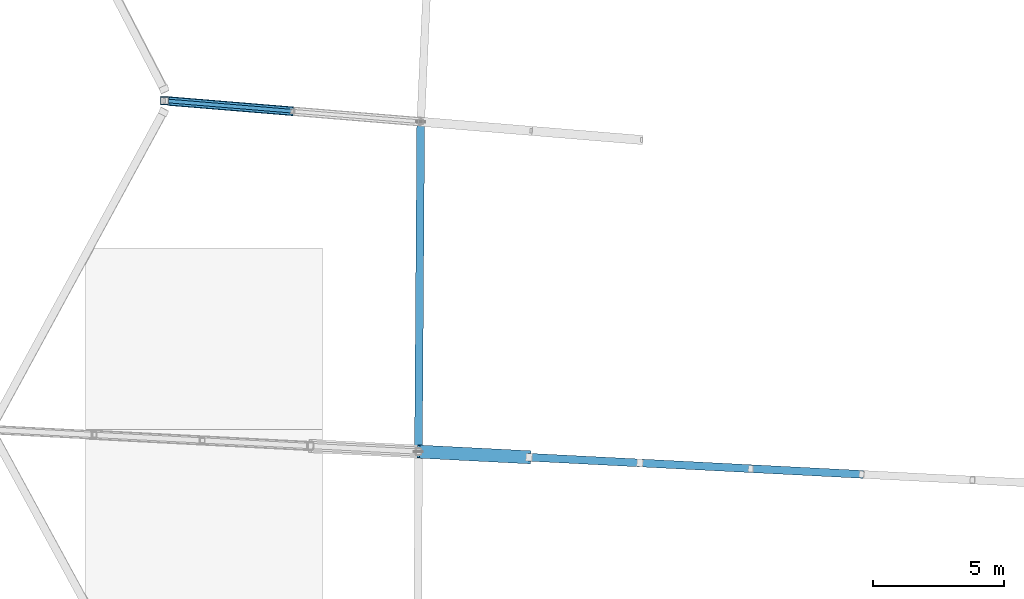
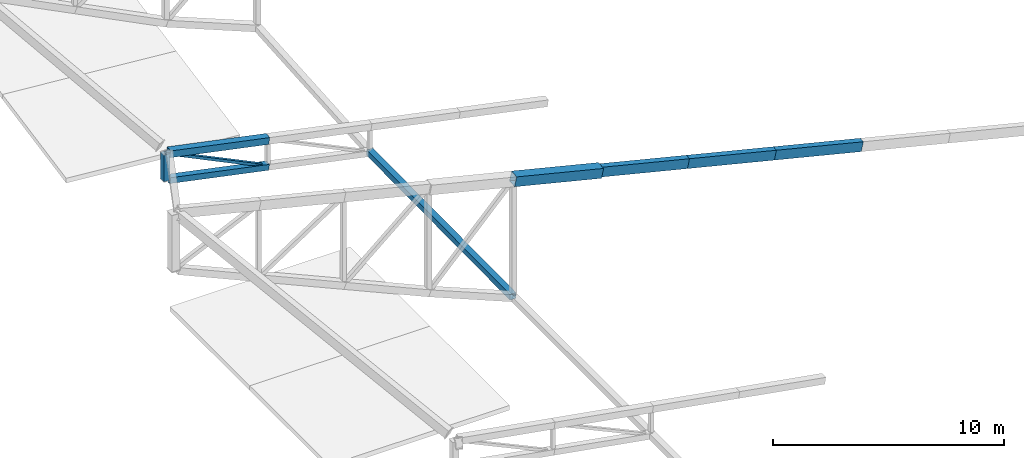
# One storey, part 62 of 188: 9 members.
"""IFC4 building model written with IfcOpenShell, lengths in metres."""

from ifc_helpers import new_model, si_unit, direction, frame, origin, origin_2d, place, context, subcontext, project, spatial, hollow_rectangle, extrude, material, material_profile, profile_set, type_object, element, save


model = new_model("IFC4")

# Units and contexts
model_context = context("Model", 3, precision=1e-05, world=origin(), true_north=direction((0.0, 1.0)))
body_context = subcontext(model_context, "Body", "Model", "MODEL_VIEW")
ifc_project = project(units=[si_unit("LENGTHUNIT", "METRE"), si_unit("AREAUNIT", "SQUARE_METRE"), si_unit("VOLUMEUNIT", "CUBIC_METRE"), si_unit("PLANEANGLEUNIT", "RADIAN"), si_unit("MASSUNIT", "GRAM", prefix="KILO")], contexts=[model_context])

# Site, building, storey
site_placement = place(None, origin())
site = spatial("IfcSite", under=ifc_project, at=site_placement, CompositionType="ELEMENT")
building_placement = place(site_placement, origin())
building = spatial("IfcBuilding", under=site, at=building_placement, Name="Meseta Stadium", CompositionType="ELEMENT")
storey_placement = place(building_placement, frame((0.0, 0.0, 30.0)))
storey = spatial("IfcBuildingStorey", under=building, at=storey_placement, Name="ROOF", CompositionType="ELEMENT", Elevation=30.0)

# Members
ifc_material_1 = material(Name="Steel S355", Category="steel")
ifc_material_profile_1 = material_profile(ifc_material_1, hollow_rectangle(XDim=0.300048828125, YDim=0.5, WallThickness=0.01611328125, at=origin_2d()), Name="RHS 500x300x16")
ifc_profile_set_1 = profile_set([ifc_material_profile_1], Name="Steel S355")
member_type_1 = type_object("IfcMemberType", Name="RHS 500x300x16 top chord", PredefinedType="CHORD", material=ifc_profile_set_1)
for number, where, z_axis, x_axis, name in (
    (1, (-68.07421875, 29.537109375, 3.41748046875), (-0.976913668371, 0.050228668723, 0.207645769011), (-0.051347841848, -0.998680829463, 0.0), "ROOF TRUSS RT-30 top chord"),
    (2, (-72.290771484375, 29.75390625, 4.313720703125), (-0.976916442354, 0.050172247372, 0.207646358629), (-0.051290169905, -0.998683793035, 0.0), "ROOF TRUSS RT-30 top chord"),
):
    element("IfcMember", number, at=place(storey_placement, frame(where, z_axis=z_axis, x_axis=x_axis)), inside=storey, type_object=member_type_1, Name=name, PredefinedType="CHORD", context=body_context, shape_type="SweptSolid", body=[
        extrude(hollow_rectangle(XDim=0.300048828125, YDim=0.5, WallThickness=0.01611328125, at=origin_2d()), origin(), (0.0, 0.0, 1.0), 4.316162109375),
    ])
member_1_placement = place(storey_placement, frame((-76.50732421875, 29.970458984375, 5.2099609375), z_axis=(-0.976916249712, 0.050225893339, 0.207634295547), x_axis=(-0.051344876791, -0.998680981909, 0.0)))
element("IfcMember", 3, at=member_1_placement, inside=storey, type_object=member_type_1, Name="ROOF TRUSS RT-30 top chord", PredefinedType="CHORD", context=body_context, shape_type="SweptSolid", body=[
    extrude(hollow_rectangle(XDim=0.300048828125, YDim=0.5, WallThickness=0.01611328125, at=origin_2d()), origin(), (0.0, 0.0, 1.0), 4.31640625),
])
ifc_material_2 = material(Name="Steel S355", Category="steel")
ifc_material_profile_2 = material_profile(ifc_material_2, hollow_rectangle(XDim=0.139892578125, YDim=0.139892578125, WallThickness=0.0048828125, at=origin_2d()), Name="SHS 140x140x5")
ifc_profile_set_2 = profile_set([ifc_material_profile_2], Name="Steel S355")
member_type_2 = type_object("IfcMemberType", Name="SHS 140x140x5 diagonal", PredefinedType="BRACE", material=ifc_profile_set_2)
member_2_placement = place(storey_placement, frame((-89.72705078125, 43.349365234375, 1.53369140625), z_axis=(-0.913059325546, 0.075066650963, 0.40085866081), x_axis=(-0.081937977128, -0.996637430515, 0.0)))
element("IfcMember", 4, at=member_2_placement, inside=storey, type_object=member_type_2, Name="ROOF TRUSS RT-29 diagonal", PredefinedType="BRACE", context=body_context, shape_type="SweptSolid", body=[
    extrude(hollow_rectangle(XDim=0.139892578125, YDim=0.139892578125, WallThickness=0.0048828125, at=origin_2d()), origin(), (0.0, 0.0, 1.0), 5.337158203125),
])
ifc_material_3 = material(Name="Steel S355", Category="steel")
ifc_material_profile_3 = material_profile(ifc_material_3, hollow_rectangle(XDim=0.300048828125, YDim=0.300048828125, WallThickness=0.010009765625, at=origin_2d()), Name="SHS 300x300x10")
ifc_profile_set_3 = profile_set([ifc_material_profile_3], Name="Steel S355")
member_type_3 = type_object("IfcMemberType", Name="SHS 300x300x10 bottom chord", PredefinedType="CHORD", material=ifc_profile_set_3)
member_3_placement = place(storey_placement, frame((-89.72705078125, 43.349365234375, 1.53369140625), z_axis=(-0.985610926604, 0.081022371821, 0.148345800827), x_axis=(-0.081928869648, -0.99663817924, 0.0)))
element("IfcMember", 5, at=member_3_placement, inside=storey, type_object=member_type_3, Name="ROOF TRUSS RT-29 bottom chord", PredefinedType="CHORD", context=body_context, shape_type="SweptSolid", body=[
    extrude(hollow_rectangle(XDim=0.300048828125, YDim=0.300048828125, WallThickness=0.010009765625, at=origin_2d()), origin(), (0.0, 0.0, 1.0), 4.794189453125),
])
ifc_material_4 = material(Name="Steel S355", Category="steel")
ifc_material_profile_4 = material_profile(ifc_material_4, hollow_rectangle(XDim=0.300048828125, YDim=0.300048828125, WallThickness=0.010009765625, at=origin_2d()), Name="SHS 300x300x10")
ifc_profile_set_4 = profile_set([ifc_material_profile_4], Name="Steel S355")
member_type_4 = type_object("IfcMemberType", Name="SHS 300x300x10 pivot strut", PredefinedType="STRUT", material=ifc_profile_set_4)
member_4_placement = place(storey_placement, frame((-84.85400390625, 42.948486328125, 0.800048828125), z_axis=(-0.006908869398, -0.999976133477, 0.0), x_axis=(0.999976133477, -0.006908869398, 0.0)))
element("IfcMember", 6, at=member_4_placement, inside=storey, type_object=member_type_4, Name="ROOF PIVOT STRUT RT-29/30", PredefinedType="STRUT", context=body_context, shape_type="SweptSolid", body=[
    extrude(hollow_rectangle(XDim=0.300048828125, YDim=0.300048828125, WallThickness=0.010009765625, at=origin_2d()), origin(), (0.0, 0.0, 1.0), 12.544677734375),
])
ifc_material_5 = material(Name="Steel S355", Category="steel")
ifc_material_profile_5 = material_profile(ifc_material_5, hollow_rectangle(XDim=0.300048828125, YDim=0.300048828125, WallThickness=0.010009765625, at=origin_2d()), Name="SHS 300x300x10")
ifc_profile_set_5 = profile_set([ifc_material_profile_5], Name="Steel S355")
member_type_5 = type_object("IfcMemberType", Name="SHS 300x300x10 rim post", PredefinedType="POST", material=ifc_profile_set_5)
member_5_placement = place(storey_placement, frame((-94.60009765625, 43.75, 2.26708984375), z_axis=(0.0, 0.0, 1.0), x_axis=(1.0, 0.0, 0.0)))
element("IfcMember", 7, at=member_5_placement, inside=storey, type_object=member_type_5, Name="ROOF TRUSS RT-29 post", PredefinedType="POST", context=body_context, shape_type="SweptSolid", body=[
    extrude(hollow_rectangle(XDim=0.300048828125, YDim=0.300048828125, WallThickness=0.010009765625, at=origin_2d()), origin(), (0.0, 0.0, 1.0), 1.406005859375),
])
ifc_material_6 = material(Name="Steel S355", Category="steel")
ifc_material_profile_6 = material_profile(ifc_material_6, hollow_rectangle(XDim=0.35009765625, YDim=0.35009765625, WallThickness=0.010009765625, at=origin_2d()), Name="SHS 350x350x10")
ifc_profile_set_6 = profile_set([ifc_material_profile_6], Name="Steel S355")
member_type_6 = type_object("IfcMemberType", Name="SHS 350x350x10 top chord", PredefinedType="CHORD", material=ifc_profile_set_6)
member_6_placement = place(storey_placement, frame((-89.72705078125, 43.349365234375, 2.939453125), z_axis=(-0.985603479539, 0.081021759633, 0.148395605011), x_axis=(-0.081928869648, -0.99663817924, 0.0)))
element("IfcMember", 8, at=member_6_placement, inside=storey, type_object=member_type_6, Name="ROOF TRUSS RT-29 top chord", PredefinedType="CHORD", context=body_context, shape_type="SweptSolid", body=[
    extrude(hollow_rectangle(XDim=0.35009765625, YDim=0.35009765625, WallThickness=0.010009765625, at=origin_2d()), origin(), (0.0, 0.0, 1.0), 4.794189453125),
])
ifc_material_7 = material(Name="Steel S355", Category="steel")
ifc_material_profile_7 = material_profile(ifc_material_7, hollow_rectangle(XDim=0.5, YDim=0.5, WallThickness=0.01611328125, at=origin_2d()), Name="SHS 500x500x16")
ifc_profile_set_7 = profile_set([ifc_material_profile_7], Name="Steel S355")
member_type_7 = type_object("IfcMemberType", Name="SHS 500x500x16 top chord", PredefinedType="CHORD", material=ifc_profile_set_7)
member_7_placement = place(storey_placement, frame((-80.72412109375, 30.187255859375, 6.106201171875), z_axis=(-0.976913668371, 0.050228668723, 0.207645769011), x_axis=(-0.051347841848, -0.998680829463, 0.0)))
element("IfcMember", 9, at=member_7_placement, inside=storey, type_object=member_type_7, Name="ROOF TRUSS RT-30 top chord", PredefinedType="CHORD", context=body_context, shape_type="SweptSolid", body=[
    extrude(hollow_rectangle(XDim=0.5, YDim=0.5, WallThickness=0.01611328125, at=origin_2d()), origin(), (0.0, 0.0, 1.0), 4.316162109375),
])

save(model, "model.ifc")
